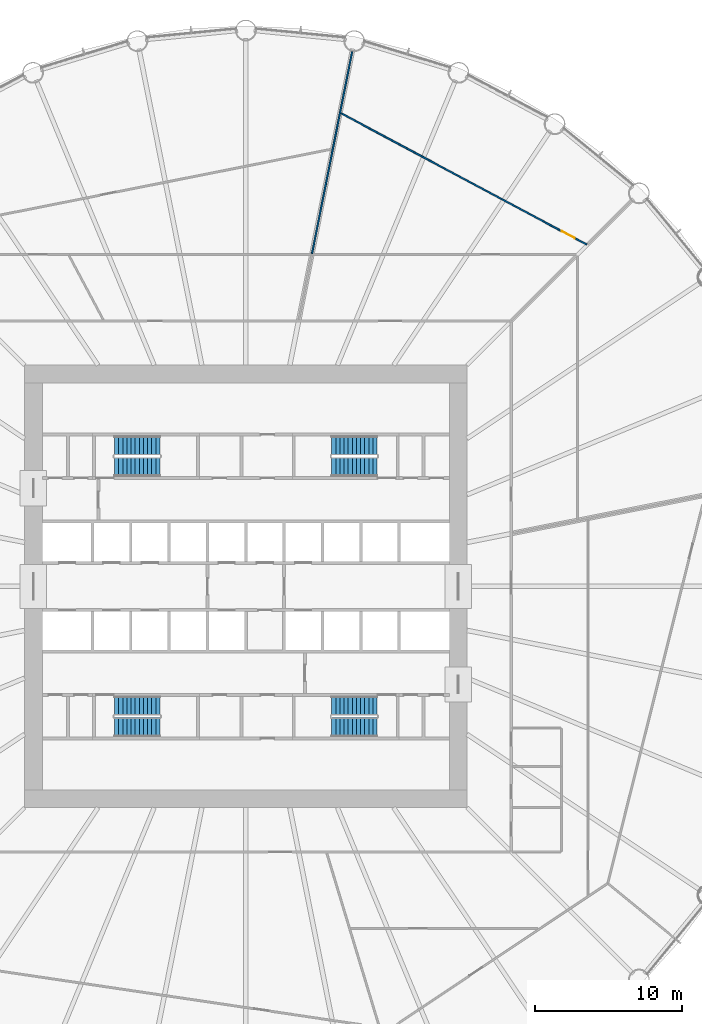
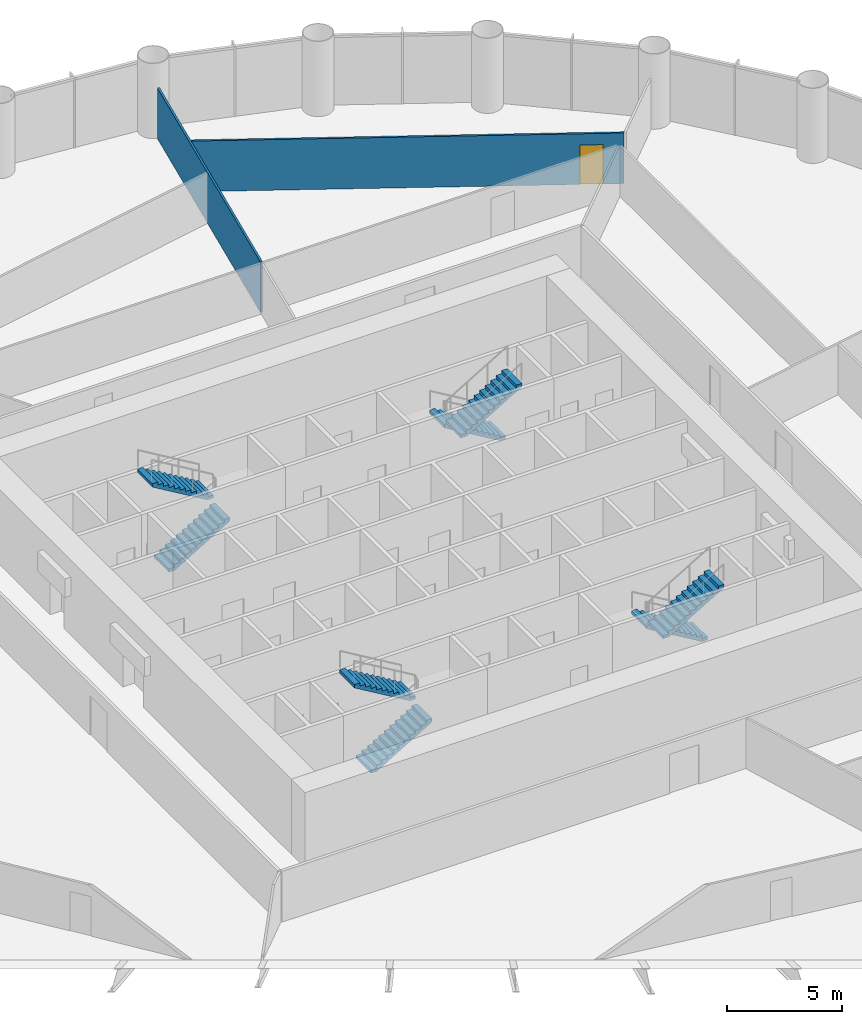
# One storey, part 14 of 15: 8 stair flights, 2 walls, 1 door, 1 opening, 4 elements without a shape of their own.
"""IFC4 building model written with IfcOpenShell, lengths in metres."""

from ifc_helpers import new_model, si_unit, direction, frame, frame_2d, origin, place, context, subcontext, project, spatial, polyline, rectangle, outline, extrude, material, layer, layer_set, type_object, element, fill, aggregate, save


model = new_model("IFC4")

# Units and contexts
model_context = context("Model", 3, precision=1e-05, world=origin(), true_north=direction((0.0, 1.0)))
body_context = subcontext(model_context, "Body", "Model", "MODEL_VIEW")
ifc_project = project(units=[si_unit("LENGTHUNIT", "METRE"), si_unit("AREAUNIT", "SQUARE_METRE"), si_unit("VOLUMEUNIT", "CUBIC_METRE"), si_unit("PLANEANGLEUNIT", "RADIAN"), si_unit("MASSUNIT", "GRAM", prefix="KILO")], contexts=[model_context])

# Site, building, storey
site_placement = place(None, origin())
site = spatial("IfcSite", under=ifc_project, at=site_placement, CompositionType="ELEMENT")
building_placement = place(site_placement, origin())
building = spatial("IfcBuilding", under=site, at=building_placement, Name="Corvane Civic Tower", CompositionType="ELEMENT")
storey_placement = place(building_placement, frame((0.0, 0.0, 73.0)))
storey = spatial("IfcBuildingStorey", under=building, at=storey_placement, Name="L16", CompositionType="ELEMENT", Elevation=73.0)

# Wall
ifc_material_1 = material(Name="Plasterboard")
ifc_layer = layer(ifc_material_1, 0.10009765625)
ifc_layer_set = layer_set([ifc_layer], Name="Plasterboard")
wall_type = type_object("IfcWallType", Name="Partition 100 plasterboard on studs", PredefinedType="PARTITIONING", material=ifc_layer_set)
wall_1_placement = place(storey_placement, frame((4.4873046875, 22.559814453125, 0.0), z_axis=(0.0, 0.0, 1.0), x_axis=(0.195092328551, 0.980784881277, 0.0)))
element("IfcWall", 1, at=wall_1_placement, inside=storey, type_object=wall_type, Name="Partition L16.031", PredefinedType="PARTITIONING", context=body_context, shape_type="SweptSolid", body=[
    extrude(rectangle(XDim=13.98828125, YDim=0.10009765625, at=frame_2d((6.994140625, 0.0))), origin(), (0.0, 0.0, 1.0), 2.699951171875),
])

# Wall, opening, door
wall_2_placement = place(storey_placement, frame((6.447509765625, 32.0830078125, 0.0), z_axis=(0.0, 0.0, 1.0), x_axis=(0.881920746375, -0.471397705885, 0.0)))
wall_2 = element("IfcWall", 2, at=wall_2_placement, inside=storey, type_object=wall_type, Name="Partition L16.032", PredefinedType="PARTITIONING", context=body_context, shape_type="SweptSolid", body=[
    extrude(rectangle(XDim=18.90576171875, YDim=0.10009765625, at=frame_2d((9.452880859375, 0.0))), origin(), (0.0, 0.0, 1.0), 2.699951171875),
])
opening_placement = place(wall_2_placement, frame((16.981201171875, 0.0, 0.0)))
opening = element("IfcOpeningElement", 3, at=opening_placement, cuts=wall_2, Name="Opening L16.007", PredefinedType="OPENING", context=body_context, shape_type="SweptSolid", body=[
    extrude(rectangle(XDim=1.0, YDim=2.10009765625, at=frame_2d((0.5, 1.050048828125))), frame((0.0, 0.06005859375, 0.0), z_axis=(0.0, -1.0, 0.0), x_axis=(1.0, 0.0, 0.0)), (0.0, 0.0, 1.0), 0.1201171875),
])
ifc_material_2 = material(Name="Timber", Category="wood")
door_type = type_object("IfcDoorType", Name="Single door 1000", OperationType="NOTDEFINED", PredefinedType="DOOR", material=ifc_material_2)
door_placement = place(opening_placement, origin())
door = element("IfcDoor", 4, at=door_placement, inside=storey, type_object=door_type, Name="Door L16.007", OperationType="SINGLE_SWING_RIGHT", OverallHeight=2.10009765625, OverallWidth=1.0, PredefinedType="DOOR", context=body_context, shape_type="SweptSolid", body=[
    extrude(rectangle(XDim=1.0, YDim=2.10009765625, at=frame_2d((0.5, 1.050048828125))), frame((0.0, 0.02490234375, 0.0), z_axis=(0.0, -1.0, 0.0), x_axis=(1.0, 0.0, 0.0)), (0.0, 0.0, 1.0), 0.050048828125),
])
fill(opening, door)

# Stair, stair flights
ifc_material_3 = material(Name="Concrete C40/50", Category="concrete")
stair_type = type_object("IfcStairType", Name="ST-STAIR-HALFTURN", PredefinedType="HALF_TURN_STAIR", material=ifc_material_3)
stair_1_placement = place(storey_placement, origin())
stair_1 = element("IfcStair", 5, at=stair_1_placement, inside=storey, type_object=stair_type, Name="L16 Exit stair ST1", PredefinedType="HALF_TURN_STAIR")
ifc_material_4 = material(Name="Concrete C40/50", Category="concrete")
stair_flight_type = type_object("IfcStairFlightType", Name="ST-FLIGHT-RC", PredefinedType="STRAIGHT", material=ifc_material_4)
stair_flight_1_placement = place(storey_placement, frame((8.89990234375, 9.550048828125, 0.0), z_axis=(0.0, 0.0, 1.0), x_axis=(-1.0, 0.0, 0.0)))
stair_flight_1 = element("IfcStairFlight", 6, at=stair_flight_1_placement, type_object=stair_flight_type, Name="ST1 flight 1", NumberOfRisers=12, NumberOfTreads=11, PredefinedType="STRAIGHT", RiserHeight=0.166666667, TreadLength=0.28, context=body_context, shape_type="SweptSolid", body=[
    extrude(outline(polyline([(0.0, 0.0), (0.0, 0.166748046875), (0.280029296875, 0.166748046875), (0.280029296875, 0.333251953125), (0.56005859375, 0.333251953125), (0.56005859375, 0.5), (0.840087890625, 0.5), (0.840087890625, 0.666748046875), (1.1201171875, 0.666748046875), (1.1201171875, 0.833251953125), (1.39990234375, 0.833251953125), (1.39990234375, 1.0), (1.679931640625, 1.0), (1.679931640625, 1.166748046875), (1.9599609375, 1.166748046875), (1.9599609375, 1.333251953125), (2.239990234375, 1.333251953125), (2.239990234375, 1.5), (2.52001953125, 1.5), (2.52001953125, 1.666748046875), (2.800048828125, 1.666748046875), (2.800048828125, 1.833251953125), (3.080078125, 1.833251953125), (3.080078125, 2.0), (3.080078125, 1.658935546875), (0.29296875, 0.0), (0.0, 0.0)])), frame((0.0, 0.64990234375, 0.0), z_axis=(0.0, -1.0, 0.0), x_axis=(1.0, 0.0, 0.0)), (0.0, 0.0, 1.0), 1.300048828125),
])
stair_flight_2_placement = place(storey_placement, frame((5.820068359375, 8.10009765625, 2.0), z_axis=(0.0, 0.0, 1.0), x_axis=(1.0, 0.0, 0.0)))
stair_flight_2 = element("IfcStairFlight", 7, at=stair_flight_2_placement, type_object=stair_flight_type, Name="ST1 flight 2", NumberOfRisers=12, NumberOfTreads=11, PredefinedType="STRAIGHT", RiserHeight=0.166666667, TreadLength=0.28, context=body_context, shape_type="SweptSolid", body=[
    extrude(outline(polyline([(0.0, 0.0), (0.0, 0.166748046875), (0.280029296875, 0.166748046875), (0.280029296875, 0.333251953125), (0.56005859375, 0.333251953125), (0.56005859375, 0.5), (0.840087890625, 0.5), (0.840087890625, 0.666748046875), (1.1201171875, 0.666748046875), (1.1201171875, 0.833251953125), (1.39990234375, 0.833251953125), (1.39990234375, 1.0), (1.679931640625, 1.0), (1.679931640625, 1.166748046875), (1.9599609375, 1.166748046875), (1.9599609375, 1.333251953125), (2.239990234375, 1.333251953125), (2.239990234375, 1.5), (2.52001953125, 1.5), (2.52001953125, 1.666748046875), (2.800048828125, 1.666748046875), (2.800048828125, 1.833251953125), (3.080078125, 1.833251953125), (3.080078125, 2.0), (3.080078125, 1.658935546875), (0.29296875, 0.0), (0.0, 0.0)])), frame((0.0, 0.64990234375, 0.0), z_axis=(0.0, -1.0, 0.0), x_axis=(1.0, 0.0, 0.0)), (0.0, 0.0, 1.0), 1.300048828125),
])
aggregate(stair_1, [stair_flight_1, stair_flight_2])

stair_2_placement = place(storey_placement, origin())
stair_2 = element("IfcStair", 8, at=stair_2_placement, inside=storey, type_object=stair_type, Name="L16 Exit stair ST2", PredefinedType="HALF_TURN_STAIR")
stair_flight_3_placement = place(storey_placement, frame((8.89990234375, -8.10009765625, 0.0), z_axis=(0.0, 0.0, 1.0), x_axis=(-1.0, 0.0, 0.0)))
stair_flight_3 = element("IfcStairFlight", 9, at=stair_flight_3_placement, type_object=stair_flight_type, Name="ST2 flight 1", NumberOfRisers=12, NumberOfTreads=11, PredefinedType="STRAIGHT", RiserHeight=0.166666667, TreadLength=0.28, context=body_context, shape_type="SweptSolid", body=[
    extrude(outline(polyline([(0.0, 0.0), (0.0, 0.166748046875), (0.280029296875, 0.166748046875), (0.280029296875, 0.333251953125), (0.56005859375, 0.333251953125), (0.56005859375, 0.5), (0.840087890625, 0.5), (0.840087890625, 0.666748046875), (1.1201171875, 0.666748046875), (1.1201171875, 0.833251953125), (1.39990234375, 0.833251953125), (1.39990234375, 1.0), (1.679931640625, 1.0), (1.679931640625, 1.166748046875), (1.9599609375, 1.166748046875), (1.9599609375, 1.333251953125), (2.239990234375, 1.333251953125), (2.239990234375, 1.5), (2.52001953125, 1.5), (2.52001953125, 1.666748046875), (2.800048828125, 1.666748046875), (2.800048828125, 1.833251953125), (3.080078125, 1.833251953125), (3.080078125, 2.0), (3.080078125, 1.658935546875), (0.29296875, 0.0), (0.0, 0.0)])), frame((0.0, 0.64990234375, 0.0), z_axis=(0.0, -1.0, 0.0), x_axis=(1.0, 0.0, 0.0)), (0.0, 0.0, 1.0), 1.300048828125),
])
stair_flight_4_placement = place(storey_placement, frame((5.820068359375, -9.550048828125, 2.0), z_axis=(0.0, 0.0, 1.0), x_axis=(1.0, 0.0, 0.0)))
stair_flight_4 = element("IfcStairFlight", 10, at=stair_flight_4_placement, type_object=stair_flight_type, Name="ST2 flight 2", NumberOfRisers=12, NumberOfTreads=11, PredefinedType="STRAIGHT", RiserHeight=0.166666667, TreadLength=0.28, context=body_context, shape_type="SweptSolid", body=[
    extrude(outline(polyline([(0.0, 0.0), (0.0, 0.166748046875), (0.280029296875, 0.166748046875), (0.280029296875, 0.333251953125), (0.56005859375, 0.333251953125), (0.56005859375, 0.5), (0.840087890625, 0.5), (0.840087890625, 0.666748046875), (1.1201171875, 0.666748046875), (1.1201171875, 0.833251953125), (1.39990234375, 0.833251953125), (1.39990234375, 1.0), (1.679931640625, 1.0), (1.679931640625, 1.166748046875), (1.9599609375, 1.166748046875), (1.9599609375, 1.333251953125), (2.239990234375, 1.333251953125), (2.239990234375, 1.5), (2.52001953125, 1.5), (2.52001953125, 1.666748046875), (2.800048828125, 1.666748046875), (2.800048828125, 1.833251953125), (3.080078125, 1.833251953125), (3.080078125, 2.0), (3.080078125, 1.658935546875), (0.29296875, 0.0), (0.0, 0.0)])), frame((0.0, 0.64990234375, 0.0), z_axis=(0.0, -1.0, 0.0), x_axis=(1.0, 0.0, 0.0)), (0.0, 0.0, 1.0), 1.300048828125),
])
aggregate(stair_2, [stair_flight_3, stair_flight_4])

stair_3_placement = place(storey_placement, origin())
stair_3 = element("IfcStair", 11, at=stair_3_placement, inside=storey, type_object=stair_type, Name="L16 Exit stair ST3", PredefinedType="HALF_TURN_STAIR")
stair_flight_5_placement = place(storey_placement, frame((-8.89990234375, -9.550048828125, 0.0), z_axis=(0.0, 0.0, 1.0), x_axis=(1.0, 0.0, 0.0)))
stair_flight_5 = element("IfcStairFlight", 12, at=stair_flight_5_placement, type_object=stair_flight_type, Name="ST3 flight 1", NumberOfRisers=12, NumberOfTreads=11, PredefinedType="STRAIGHT", RiserHeight=0.166666667, TreadLength=0.28, context=body_context, shape_type="SweptSolid", body=[
    extrude(outline(polyline([(0.0, 0.0), (0.0, 0.166748046875), (0.280029296875, 0.166748046875), (0.280029296875, 0.333251953125), (0.56005859375, 0.333251953125), (0.56005859375, 0.5), (0.840087890625, 0.5), (0.840087890625, 0.666748046875), (1.1201171875, 0.666748046875), (1.1201171875, 0.833251953125), (1.39990234375, 0.833251953125), (1.39990234375, 1.0), (1.679931640625, 1.0), (1.679931640625, 1.166748046875), (1.9599609375, 1.166748046875), (1.9599609375, 1.333251953125), (2.239990234375, 1.333251953125), (2.239990234375, 1.5), (2.52001953125, 1.5), (2.52001953125, 1.666748046875), (2.800048828125, 1.666748046875), (2.800048828125, 1.833251953125), (3.080078125, 1.833251953125), (3.080078125, 2.0), (3.080078125, 1.658935546875), (0.29296875, 0.0), (0.0, 0.0)])), frame((0.0, 0.64990234375, 0.0), z_axis=(0.0, -1.0, 0.0), x_axis=(1.0, 0.0, 0.0)), (0.0, 0.0, 1.0), 1.300048828125),
])
stair_flight_6_placement = place(storey_placement, frame((-5.820068359375, -8.10009765625, 2.0), z_axis=(0.0, 0.0, 1.0), x_axis=(-1.0, 0.0, 0.0)))
stair_flight_6 = element("IfcStairFlight", 13, at=stair_flight_6_placement, type_object=stair_flight_type, Name="ST3 flight 2", NumberOfRisers=12, NumberOfTreads=11, PredefinedType="STRAIGHT", RiserHeight=0.166666667, TreadLength=0.28, context=body_context, shape_type="SweptSolid", body=[
    extrude(outline(polyline([(0.0, 0.0), (0.0, 0.166748046875), (0.280029296875, 0.166748046875), (0.280029296875, 0.333251953125), (0.56005859375, 0.333251953125), (0.56005859375, 0.5), (0.840087890625, 0.5), (0.840087890625, 0.666748046875), (1.1201171875, 0.666748046875), (1.1201171875, 0.833251953125), (1.39990234375, 0.833251953125), (1.39990234375, 1.0), (1.679931640625, 1.0), (1.679931640625, 1.166748046875), (1.9599609375, 1.166748046875), (1.9599609375, 1.333251953125), (2.239990234375, 1.333251953125), (2.239990234375, 1.5), (2.52001953125, 1.5), (2.52001953125, 1.666748046875), (2.800048828125, 1.666748046875), (2.800048828125, 1.833251953125), (3.080078125, 1.833251953125), (3.080078125, 2.0), (3.080078125, 1.658935546875), (0.29296875, 0.0), (0.0, 0.0)])), frame((0.0, 0.64990234375, 0.0), z_axis=(0.0, -1.0, 0.0), x_axis=(1.0, 0.0, 0.0)), (0.0, 0.0, 1.0), 1.300048828125),
])
aggregate(stair_3, [stair_flight_5, stair_flight_6])

stair_4_placement = place(storey_placement, origin())
stair_4 = element("IfcStair", 14, at=stair_4_placement, inside=storey, type_object=stair_type, Name="L16 Exit stair ST4", PredefinedType="HALF_TURN_STAIR")
stair_flight_7_placement = place(storey_placement, frame((-8.89990234375, 8.10009765625, 0.0), z_axis=(0.0, 0.0, 1.0), x_axis=(1.0, 0.0, 0.0)))
stair_flight_7 = element("IfcStairFlight", 15, at=stair_flight_7_placement, type_object=stair_flight_type, Name="ST4 flight 1", NumberOfRisers=12, NumberOfTreads=11, PredefinedType="STRAIGHT", RiserHeight=0.166666667, TreadLength=0.28, context=body_context, shape_type="SweptSolid", body=[
    extrude(outline(polyline([(0.0, 0.0), (0.0, 0.166748046875), (0.280029296875, 0.166748046875), (0.280029296875, 0.333251953125), (0.56005859375, 0.333251953125), (0.56005859375, 0.5), (0.840087890625, 0.5), (0.840087890625, 0.666748046875), (1.1201171875, 0.666748046875), (1.1201171875, 0.833251953125), (1.39990234375, 0.833251953125), (1.39990234375, 1.0), (1.679931640625, 1.0), (1.679931640625, 1.166748046875), (1.9599609375, 1.166748046875), (1.9599609375, 1.333251953125), (2.239990234375, 1.333251953125), (2.239990234375, 1.5), (2.52001953125, 1.5), (2.52001953125, 1.666748046875), (2.800048828125, 1.666748046875), (2.800048828125, 1.833251953125), (3.080078125, 1.833251953125), (3.080078125, 2.0), (3.080078125, 1.658935546875), (0.29296875, 0.0), (0.0, 0.0)])), frame((0.0, 0.64990234375, 0.0), z_axis=(0.0, -1.0, 0.0), x_axis=(1.0, 0.0, 0.0)), (0.0, 0.0, 1.0), 1.300048828125),
])
stair_flight_8_placement = place(storey_placement, frame((-5.820068359375, 9.550048828125, 2.0), z_axis=(0.0, 0.0, 1.0), x_axis=(-1.0, 0.0, 0.0)))
stair_flight_8 = element("IfcStairFlight", 16, at=stair_flight_8_placement, type_object=stair_flight_type, Name="ST4 flight 2", NumberOfRisers=12, NumberOfTreads=11, PredefinedType="STRAIGHT", RiserHeight=0.166666667, TreadLength=0.28, context=body_context, shape_type="SweptSolid", body=[
    extrude(outline(polyline([(0.0, 0.0), (0.0, 0.166748046875), (0.280029296875, 0.166748046875), (0.280029296875, 0.333251953125), (0.56005859375, 0.333251953125), (0.56005859375, 0.5), (0.840087890625, 0.5), (0.840087890625, 0.666748046875), (1.1201171875, 0.666748046875), (1.1201171875, 0.833251953125), (1.39990234375, 0.833251953125), (1.39990234375, 1.0), (1.679931640625, 1.0), (1.679931640625, 1.166748046875), (1.9599609375, 1.166748046875), (1.9599609375, 1.333251953125), (2.239990234375, 1.333251953125), (2.239990234375, 1.5), (2.52001953125, 1.5), (2.52001953125, 1.666748046875), (2.800048828125, 1.666748046875), (2.800048828125, 1.833251953125), (3.080078125, 1.833251953125), (3.080078125, 2.0), (3.080078125, 1.658935546875), (0.29296875, 0.0), (0.0, 0.0)])), frame((0.0, 0.64990234375, 0.0), z_axis=(0.0, -1.0, 0.0), x_axis=(1.0, 0.0, 0.0)), (0.0, 0.0, 1.0), 1.300048828125),
])
aggregate(stair_4, [stair_flight_7, stair_flight_8])

save(model, "model.ifc")
